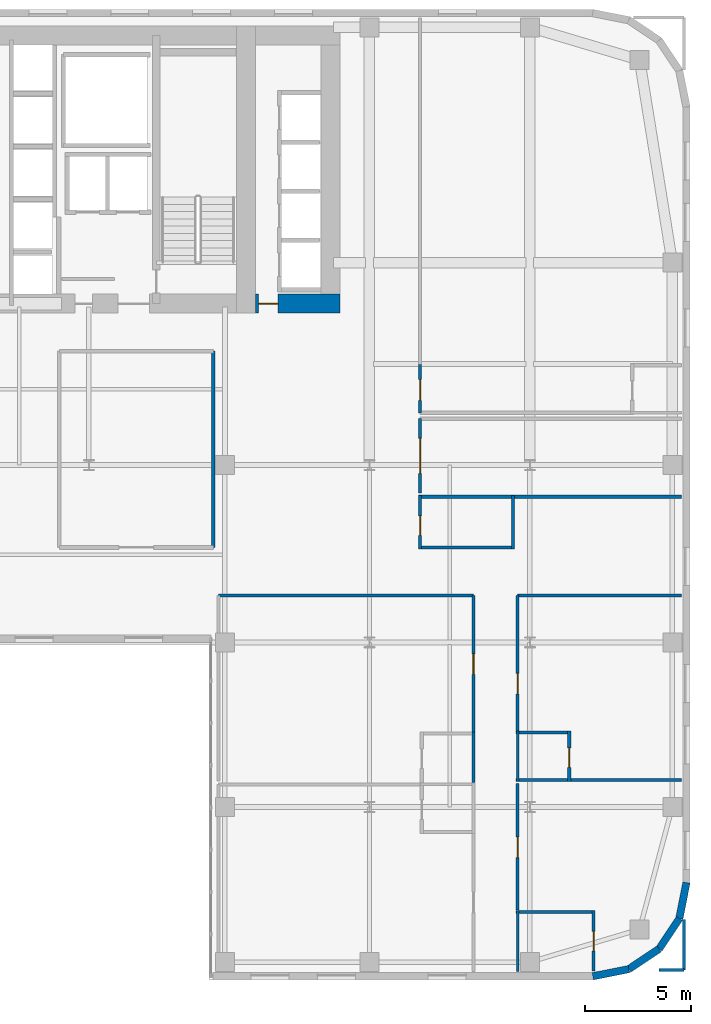
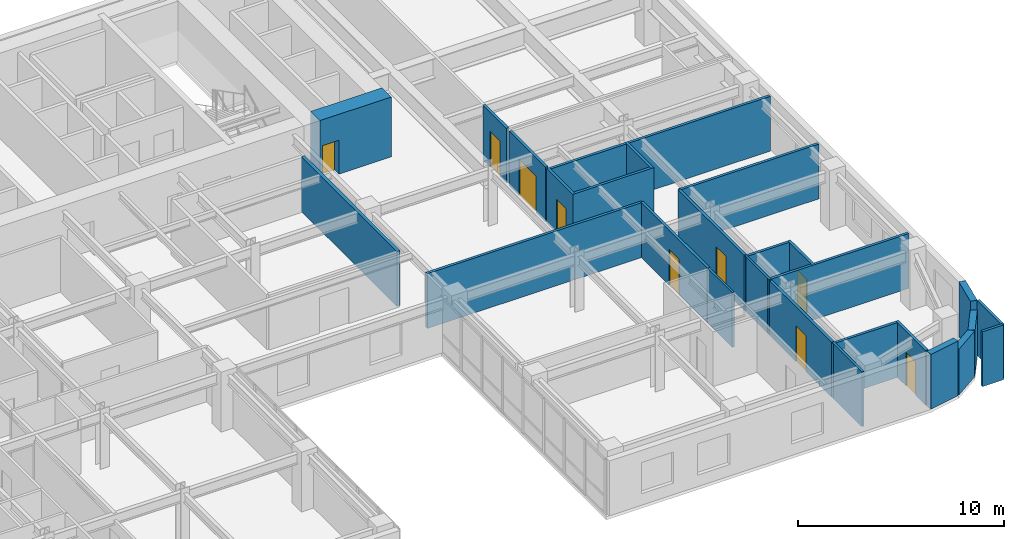
# One storey, part 12 of 16: 27 walls, 9 doors, 9 openings.
"""IFC4 building model written with IfcOpenShell, lengths in metres."""

from ifc_helpers import new_model, si_unit, direction, frame, frame_2d, origin, place, context, subcontext, project, spatial, rectangle, extrude, source, transform, mapped, material, layer, layer_set, type_object, type_shapes, element, fill, save


model = new_model("IFC4")

# Units and contexts
model_context = context("Model", 3, precision=1e-05, world=origin(), true_north=direction((0.0, 1.0)))
body_context = subcontext(model_context, "Body", "Model", "MODEL_VIEW")
ifc_project = project(units=[si_unit("LENGTHUNIT", "METRE"), si_unit("AREAUNIT", "SQUARE_METRE"), si_unit("VOLUMEUNIT", "CUBIC_METRE"), si_unit("PLANEANGLEUNIT", "RADIAN"), si_unit("MASSUNIT", "GRAM", prefix="KILO")], contexts=[model_context])

# Site, building, storey
site_placement = place(None, origin())
site = spatial("IfcSite", under=ifc_project, at=site_placement, CompositionType="ELEMENT")
building_placement = place(site_placement, origin())
building = spatial("IfcBuilding", under=site, at=building_placement, Name="Tolvann Quenvar Hotel", CompositionType="ELEMENT")
storey_placement = place(building_placement, frame((0.0, 0.0, 92.35009765625)))
storey = spatial("IfcBuildingStorey", under=building, at=storey_placement, Name="L23", CompositionType="ELEMENT", Elevation=92.35009765625)

# Wall, opening, door
ifc_material_1 = material(Name="Concrete S80 (80 MPa)", Category="concrete")
ifc_layer_1 = layer(ifc_material_1, 0.89990234375)
ifc_layer_set_1 = layer_set([ifc_layer_1], Name="Concrete S80 (80 MPa)")
wall_type_1 = type_object("IfcWallType", Name="WALL_CORE_900", PredefinedType="SHEAR", material=ifc_layer_set_1)
wall_1_placement = place(storey_placement, frame((36.39990234375, 32.050048828125, 0.0), z_axis=(0.0, 0.0, 1.0), x_axis=(1.0, 0.0, 0.0)))
wall_1 = element("IfcWall", 1, at=wall_1_placement, inside=storey, type_object=wall_type_1, Name="Core East Annex Shear Wall ANN-S (L23)", PredefinedType="SHEAR", context=body_context, shape_type="SweptSolid", body=[
    extrude(rectangle(XDim=4.0, YDim=0.89990234375, at=frame_2d((2.0, 0.0))), origin(), (0.0, 0.0, 1.0), 3.5498046875),
])
opening_1_placement = place(wall_1_placement, frame((1.06982421875, 0.0, 0.0), z_axis=(0.0, 0.0, 1.0), x_axis=(-1.0, 0.0, 0.0)))
opening_1 = element("IfcOpeningElement", 2, at=opening_1_placement, cuts=wall_1, Name="Opening WD-01", PredefinedType="OPENING", context=body_context, shape_type="SweptSolid", body=[
    extrude(rectangle(XDim=0.919921875, YDim=2.010009765625, at=frame_2d((0.4599609375, 1.0048828125))), frame((0.0, 0.4599609375, 0.0), z_axis=(0.0, -1.0, 0.0), x_axis=(1.0, 0.0, 0.0)), (0.0, 0.0, 1.0), 0.919921875),
])
ifc_material_2 = material(Name="Solid-core American oak acoustic fire door leaf in steel frame", Category="steel")
door_type_1 = type_object("IfcDoorType", Name="DOOR_WC_920", OperationType="NOTDEFINED", PredefinedType="DOOR", material=ifc_material_2)
shared_shape_1 = source(origin(), body_context, "Body", "SweptSolid", [
    extrude(rectangle(XDim=0.919921875, YDim=2.010009765625, at=frame_2d((0.4599609375, 1.0048828125))), frame((0.0, 0.02490234375, 0.0), z_axis=(0.0, -1.0, 0.0), x_axis=(1.0, 0.0, 0.0)), (0.0, 0.0, 1.0), 0.050048828125),
])
type_shapes(door_type_1, [shared_shape_1])
door_1_placement = place(opening_1_placement, origin())
door_1 = element("IfcDoor", 3, at=door_1_placement, inside=storey, type_object=door_type_1, Name="Low-Rise Lift Lobby Fire Door (L23)", OperationType="SINGLE_SWING_RIGHT", OverallHeight=2.010009765625, OverallWidth=0.919921875, PredefinedType="DOOR", context=body_context, shape_type="MappedRepresentation", body=[
    mapped(shared_shape_1, transform((0.0, 0.0, 0.0), x_axis=(1.0, 0.0, 0.0), y_axis=(0.0, 1.0, 0.0), z_axis=(0.0, 0.0, 1.0), scale=1.0)),
])
fill(opening_1, door_1)

# Walls
ifc_material_3 = material(Name="Kiln-fired red and buff architectural clay brickwork and terracotta masonry", Category="masonry")
ifc_layer_2 = layer(ifc_material_3, 0.35009765625)
ifc_layer_set_2 = layer_set([ifc_layer_2], Name="Kiln-fired red and buff architectural clay brickwork and terracotta masonry")
wall_type_2 = type_object("IfcWallType", Name="WALL_EXT_BRICK_350", PredefinedType="SOLIDWALL", material=ifc_layer_set_2)
wall_2_placement = place(storey_placement, frame((52.3828125, 0.175048828125, 0.0), z_axis=(0.0, 0.0, 1.0), x_axis=(0.980800971659, 0.195011420161, 0.0)))
element("IfcWall", 4, at=wall_2_placement, inside=storey, type_object=wall_type_2, Name="Exterior Chicago Brick Wall L23-E09", PredefinedType="SOLIDWALL", context=body_context, shape_type="SweptSolid", body=[
    extrude(rectangle(XDim=1.74267578125, YDim=0.35009765625, at=frame_2d((0.871337890625, 0.0))), origin(), (0.0, 0.0, 1.0), 3.25),
])
for number, where, z_axis, x_axis, name in (
    (5, (54.092041015625, 0.514892578125, 0.0), (0.0, 0.0, 1.0), (0.831483840845, 0.55554893791, 0.0), "Exterior Chicago Brick Wall L23-E10"),
    (6, (55.526611328125, 1.473388671875, 0.0), (0.0, 0.0, 1.0), (0.55554893791, 0.831483840845, 0.0), "Exterior Chicago Brick Wall L23-E11"),
):
    element("IfcWall", number, at=place(storey_placement, frame(where, z_axis=z_axis, x_axis=x_axis)), inside=storey, type_object=wall_type_2, Name=name, PredefinedType="SOLIDWALL", context=body_context, shape_type="SweptSolid", body=[
        extrude(rectangle(XDim=1.725341796875, YDim=0.35009765625, at=frame_2d((0.86279296875, 0.0))), origin(), (0.0, 0.0, 1.0), 2.7119140625),
    ])
wall_3_placement = place(storey_placement, frame((56.485107421875, 2.907958984375, 0.0), z_axis=(0.0, 0.0, 1.0), x_axis=(0.195011420161, 0.980800971659, 0.0)))
element("IfcWall", 7, at=wall_3_placement, inside=storey, type_object=wall_type_2, Name="Exterior Chicago Brick Wall L23-E12", PredefinedType="SOLIDWALL", context=body_context, shape_type="SweptSolid", body=[
    extrude(rectangle(XDim=1.74267578125, YDim=0.35009765625, at=frame_2d((0.871337890625, 0.0))), origin(), (0.0, 0.0, 1.0), 3.25),
])
ifc_material_4 = material(Name="Acoustic twin-stud fire-rated gypsum plasterboard partition")
ifc_layer_3 = layer(ifc_material_4, 0.179931640625)
ifc_layer_set_3 = layer_set([ifc_layer_3], Name="Acoustic twin-stud fire-rated gypsum plasterboard partition")
wall_type_3 = type_object("IfcWallType", Name="WALL_PART_ACOUSTIC_180", PredefinedType="PARTITIONING", material=ifc_layer_set_3)
wall_4_placement = place(storey_placement, frame((34.39990234375, 20.5, 0.0), z_axis=(0.0, 0.0, 1.0), x_axis=(0.0, 1.0, 0.0)))
element("IfcWall", 8, at=wall_4_placement, inside=storey, type_object=wall_type_3, Name="Interior Partition PT-SPC-L23-MSP-C-E", PredefinedType="PARTITIONING", context=body_context, shape_type="SweptSolid", body=[
    extrude(rectangle(XDim=9.300048828125, YDim=0.179931640625, at=frame_2d((4.64990234375, 0.0))), origin(), (0.0, 0.0, 1.0), 3.25),
])
ifc_material_5 = material(Name="Moisture-resistant acoustic plumbing wall assembly")
ifc_layer_4 = layer(ifc_material_5, 0.1201171875)
ifc_layer_set_4 = layer_set([ifc_layer_4], Name="Moisture-resistant acoustic plumbing wall assembly")
wall_type_4 = type_object("IfcWallType", Name="WALL_PART_BATH_120", PredefinedType="PLUMBINGWALL", material=ifc_layer_set_4)
wall_5_placement = place(storey_placement, frame((46.72998046875, 9.360107421875, 0.0), z_axis=(0.0, 0.0, 1.0), x_axis=(0.0, 1.0, 0.0)))
element("IfcWall", 9, at=wall_5_placement, inside=storey, type_object=wall_type_4, Name="Non-Rated Plumbing Partition PT-SPC-L23-ENS-EI02-E", PredefinedType="PLUMBINGWALL", context=body_context, shape_type="SweptSolid", body=[
    extrude(rectangle(XDim=2.389892578125, YDim=0.1201171875, at=frame_2d((1.19482421875, 0.0))), origin(), (0.0, 0.0, 1.0), 3.25),
])
wall_6_placement = place(storey_placement, frame((48.820068359375, 0.405029296875, 0.0), z_axis=(0.0, 0.0, 1.0), x_axis=(0.0, 1.0, 0.0)))
element("IfcWall", 10, at=wall_6_placement, inside=storey, type_object=wall_type_4, Name="Non-Rated Plumbing Partition PT-SPC-L23-ENS-EO01-W", PredefinedType="PLUMBINGWALL", context=body_context, shape_type="SweptSolid", body=[
    extrude(rectangle(XDim=2.89501953125, YDim=0.1201171875, at=frame_2d((1.447509765625, 0.0))), origin(), (0.0, 0.0, 1.0), 3.25),
])
wall_7_placement = place(storey_placement, frame((48.820068359375, 9.409912109375, 0.0), z_axis=(0.0, 0.0, 1.0), x_axis=(0.0, 1.0, 0.0)))
element("IfcWall", 11, at=wall_7_placement, inside=storey, type_object=wall_type_4, Name="Non-Rated Plumbing Partition PT-SPC-L23-ENS-EO02-W", PredefinedType="PLUMBINGWALL", context=body_context, shape_type="SweptSolid", body=[
    extrude(rectangle(XDim=2.39013671875, YDim=0.1201171875, at=frame_2d((1.195068359375, 0.0))), origin(), (0.0, 0.0, 1.0), 3.25),
])

# Wall, opening, door
ifc_layer_5 = layer(ifc_material_4, 0.14990234375)
ifc_layer_set_5 = layer_set([ifc_layer_5], Name="Acoustic twin-stud fire-rated gypsum plasterboard partition")
wall_type_5 = type_object("IfcWallType", Name="WALL_PART_SUITE_150", PredefinedType="PARTITIONING", material=ifc_layer_set_5)
wall_8_placement = place(storey_placement, frame((52.419921875, 0.4169921875, 0.0), z_axis=(0.0, 0.0, 1.0), x_axis=(0.0, 1.0, 0.0)))
wall_8 = element("IfcWall", 12, at=wall_8_placement, inside=storey, type_object=wall_type_5, Name="Interior Partition PT-SPC-L23-ENS-EO01-ENT", PredefinedType="PARTITIONING", context=body_context, shape_type="SweptSolid", body=[
    extrude(rectangle(XDim=2.883056640625, YDim=0.14990234375, at=frame_2d((1.44140625, 0.0))), origin(), (0.0, 0.0, 1.0), 3.25),
])
opening_2_placement = place(wall_8_placement, frame((0.968017578125, 0.0, 0.0)))
opening_2 = element("IfcOpeningElement", 13, at=opening_2_placement, cuts=wall_8, Name="Opening WD-01", PredefinedType="OPENING", context=body_context, shape_type="SweptSolid", body=[
    extrude(rectangle(XDim=0.919921875, YDim=2.010009765625, at=frame_2d((0.4599609375, 1.0048828125))), frame((0.0, 0.0849609375, 0.0), z_axis=(0.0, -1.0, 0.0), x_axis=(1.0, 0.0, 0.0)), (0.0, 0.0, 1.0), 0.169921875),
])
door_2_placement = place(opening_2_placement, origin())
door_2 = element("IfcDoor", 14, at=door_2_placement, inside=storey, type_object=door_type_1, Name="Interior Door DOOR-SPC-L23-ENS-EO01", OperationType="SINGLE_SWING_LEFT", OverallHeight=2.010009765625, OverallWidth=0.919921875, PredefinedType="DOOR", context=body_context, shape_type="MappedRepresentation", body=[
    mapped(shared_shape_1, transform((0.0, 0.0, 0.0), x_axis=(1.0, 0.0, 0.0), y_axis=(0.0, 1.0, 0.0), z_axis=(0.0, 0.0, 1.0), scale=1.0)),
])
fill(opening_2, door_2)

# Wall
wall_9_placement = place(storey_placement, frame((48.75, 3.22998046875, 0.0), z_axis=(0.0, 0.0, 1.0), x_axis=(1.0, 0.0, 0.0)))
element("IfcWall", 15, at=wall_9_placement, inside=storey, type_object=wall_type_5, Name="Interior Partition PT-SPC-L23-ENS-EO01-N", PredefinedType="PARTITIONING", context=body_context, shape_type="SweptSolid", body=[
    extrude(rectangle(XDim=3.739990234375, YDim=0.14990234375, at=frame_2d((1.8701171875, 0.0))), origin(), (0.0, 0.0, 1.0), 3.25),
])

# Wall, opening, door
wall_10_placement = place(storey_placement, frame((51.27001953125, 9.409912109375, 0.0), z_axis=(0.0, 0.0, 1.0), x_axis=(0.0, 1.0, 0.0)))
wall_10 = element("IfcWall", 16, at=wall_10_placement, inside=storey, type_object=wall_type_5, Name="Interior Partition PT-SPC-L23-ENS-EO02-ENT", PredefinedType="PARTITIONING", context=body_context, shape_type="SweptSolid", body=[
    extrude(rectangle(XDim=2.39013671875, YDim=0.14990234375, at=frame_2d((1.195068359375, 0.0))), origin(), (0.0, 0.0, 1.0), 3.25),
])
opening_3_placement = place(wall_10_placement, frame((0.6650390625, 0.0, 0.0)))
opening_3 = element("IfcOpeningElement", 17, at=opening_3_placement, cuts=wall_10, Name="Opening WD-01", PredefinedType="OPENING", context=body_context, shape_type="SweptSolid", body=[
    extrude(rectangle(XDim=0.919921875, YDim=2.010009765625, at=frame_2d((0.4599609375, 1.0048828125))), frame((0.0, 0.0849609375, 0.0), z_axis=(0.0, -1.0, 0.0), x_axis=(1.0, 0.0, 0.0)), (0.0, 0.0, 1.0), 0.169921875),
])
door_3_placement = place(opening_3_placement, origin())
door_3 = element("IfcDoor", 18, at=door_3_placement, inside=storey, type_object=door_type_1, Name="Interior Door DOOR-SPC-L23-ENS-EO02", OperationType="SINGLE_SWING_RIGHT", OverallHeight=2.010009765625, OverallWidth=0.919921875, PredefinedType="DOOR", context=body_context, shape_type="MappedRepresentation", body=[
    mapped(shared_shape_1, transform((0.0, 0.0, 0.0), x_axis=(1.0, 0.0, 0.0), y_axis=(0.0, 1.0, 0.0), z_axis=(0.0, 0.0, 1.0), scale=1.0)),
])
fill(opening_3, door_3)

# Walls
wall_11_placement = place(storey_placement, frame((48.75, 9.47998046875, 0.0), z_axis=(0.0, 0.0, 1.0), x_axis=(1.0, 0.0, 0.0)))
element("IfcWall", 19, at=wall_11_placement, inside=storey, type_object=wall_type_5, Name="Interior Partition PT-SPC-L23-ENS-EO02-S", PredefinedType="PARTITIONING", context=body_context, shape_type="SweptSolid", body=[
    extrude(rectangle(XDim=7.844970703125, YDim=0.14990234375, at=frame_2d((3.92236328125, 0.0))), origin(), (0.0, 0.0, 1.0), 3.25),
])
wall_12_placement = place(storey_placement, frame((48.75, 11.72998046875, 0.0), z_axis=(0.0, 0.0, 1.0), x_axis=(1.0, 0.0, 0.0)))
element("IfcWall", 20, at=wall_12_placement, inside=storey, type_object=wall_type_5, Name="Interior Partition PT-SPC-L23-ENS-EO02-N", PredefinedType="PARTITIONING", context=body_context, shape_type="SweptSolid", body=[
    extrude(rectangle(XDim=2.590087890625, YDim=0.14990234375, at=frame_2d((1.294921875, 0.0))), origin(), (0.0, 0.0, 1.0), 3.25),
])

# Wall, opening, door
wall_13_placement = place(storey_placement, frame((46.72998046875, 11.760009765625, 0.0), z_axis=(0.0, 0.0, 1.0), x_axis=(0.0, 1.0, 0.0)))
wall_13 = element("IfcWall", 21, at=wall_13_placement, inside=storey, type_object=wall_type_5, Name="Interior Partition PT-SPC-L23-RM-EI02-ENT", PredefinedType="PARTITIONING", context=body_context, shape_type="SweptSolid", body=[
    extrude(rectangle(XDim=6.4599609375, YDim=0.14990234375, at=frame_2d((3.22998046875, 0.0))), origin(), (0.0, 0.0, 1.0), 3.25),
])
opening_4_placement = place(wall_13_placement, frame((2.719970703125, 0.0, 0.0)))
opening_4 = element("IfcOpeningElement", 22, at=opening_4_placement, cuts=wall_13, Name="Opening SD-01", PredefinedType="OPENING", context=body_context, shape_type="SweptSolid", body=[
    extrude(rectangle(XDim=0.97998046875, YDim=2.1201171875, at=frame_2d((0.489990234375, 1.06005859375))), frame((0.0, 0.0849609375, 0.0), z_axis=(0.0, -1.0, 0.0), x_axis=(1.0, 0.0, 0.0)), (0.0, 0.0, 1.0), 0.169921875),
])
door_type_2 = type_object("IfcDoorType", Name="DOOR_SUITE_980", OperationType="NOTDEFINED", PredefinedType="DOOR", material=ifc_material_2)
shared_shape_2 = source(origin(), body_context, "Body", "SweptSolid", [
    extrude(rectangle(XDim=0.97998046875, YDim=2.1201171875, at=frame_2d((0.489990234375, 1.06005859375))), frame((0.0, 0.02490234375, 0.0), z_axis=(0.0, -1.0, 0.0), x_axis=(1.0, 0.0, 0.0)), (0.0, 0.0, 1.0), 0.050048828125),
])
type_shapes(door_type_2, [shared_shape_2])
door_4_placement = place(opening_4_placement, origin())
door_4 = element("IfcDoor", 23, at=door_4_placement, inside=storey, type_object=door_type_2, Name="Interior Door DOOR-SPC-L23-RM-EI02", OperationType="SINGLE_SWING_RIGHT", OverallHeight=2.1201171875, OverallWidth=0.97998046875, PredefinedType="DOOR", context=body_context, shape_type="MappedRepresentation", body=[
    mapped(shared_shape_2, transform((0.0, 0.0, 0.0), x_axis=(1.0, 0.0, 0.0), y_axis=(0.0, 1.0, 0.0), z_axis=(0.0, 0.0, 1.0), scale=1.0)),
])
fill(opening_4, door_4)

# Wall
wall_14_placement = place(storey_placement, frame((34.64990234375, 18.219970703125, 0.0), z_axis=(0.0, 0.0, 1.0), x_axis=(1.0, 0.0, 0.0)))
element("IfcWall", 24, at=wall_14_placement, inside=storey, type_object=wall_type_5, Name="Interior Partition PT-SPC-L23-RM-EI02-E5", PredefinedType="PARTITIONING", context=body_context, shape_type="SweptSolid", body=[
    extrude(rectangle(XDim=12.080078125, YDim=0.14990234375, at=frame_2d((6.0400390625, 0.0))), origin(), (0.0, 0.0, 1.0), 3.25),
])

# Wall, opening, door
wall_15_placement = place(storey_placement, frame((48.820068359375, 3.31005859375, 0.0), z_axis=(0.0, 0.0, 1.0), x_axis=(0.0, 1.0, 0.0)))
wall_15 = element("IfcWall", 25, at=wall_15_placement, inside=storey, type_object=wall_type_5, Name="Interior Partition PT-SPC-L23-RM-EO01-ENT", PredefinedType="PARTITIONING", context=body_context, shape_type="SweptSolid", body=[
    extrude(rectangle(XDim=6.010009765625, YDim=0.14990234375, at=frame_2d((3.0048828125, 0.0))), origin(), (0.0, 0.0, 1.0), 3.25),
])
opening_5_placement = place(wall_15_placement, frame((2.4951171875, 0.0, 0.0)))
opening_5 = element("IfcOpeningElement", 26, at=opening_5_placement, cuts=wall_15, Name="Opening SD-01", PredefinedType="OPENING", context=body_context, shape_type="SweptSolid", body=[
    extrude(rectangle(XDim=0.97998046875, YDim=2.1201171875, at=frame_2d((0.489990234375, 1.06005859375))), frame((0.0, 0.0849609375, 0.0), z_axis=(0.0, -1.0, 0.0), x_axis=(1.0, 0.0, 0.0)), (0.0, 0.0, 1.0), 0.169921875),
])
door_5_placement = place(opening_5_placement, origin())
door_5 = element("IfcDoor", 27, at=door_5_placement, inside=storey, type_object=door_type_2, Name="Interior Door DOOR-SPC-L23-RM-EO01", OperationType="SINGLE_SWING_LEFT", OverallHeight=2.1201171875, OverallWidth=0.97998046875, PredefinedType="DOOR", context=body_context, shape_type="MappedRepresentation", body=[
    mapped(shared_shape_2, transform((0.0, 0.0, 0.0), x_axis=(1.0, 0.0, 0.0), y_axis=(0.0, 1.0, 0.0), z_axis=(0.0, 0.0, 1.0), scale=1.0)),
])
fill(opening_5, door_5)

# Walls
wall_16_placement = place(storey_placement, frame((55.52587890625, 0.47998046875, 0.0), z_axis=(0.0, 0.0, 1.0), x_axis=(1.0, 0.0, 0.0)))
element("IfcWall", 28, at=wall_16_placement, inside=storey, type_object=wall_type_5, Name="Interior Partition PT-SPC-L23-RM-EO01-E3", PredefinedType="PARTITIONING", context=body_context, shape_type="SweptSolid", body=[
    extrude(rectangle(XDim=1.174072265625, YDim=0.14990234375, at=frame_2d((0.5869140625, 0.0))), origin(), (0.0, 0.0, 1.0), 3.25),
])
wall_17_placement = place(storey_placement, frame((56.699951171875, 0.47998046875, 0.0), z_axis=(0.0, 0.0, 1.0), x_axis=(0.0, 1.0, 0.0)))
element("IfcWall", 29, at=wall_17_placement, inside=storey, type_object=wall_type_5, Name="Interior Partition PT-SPC-L23-RM-EO01-E4", PredefinedType="PARTITIONING", context=body_context, shape_type="SweptSolid", body=[
    extrude(rectangle(XDim=2.385009765625, YDim=0.14990234375, at=frame_2d((1.1923828125, 0.0))), origin(), (0.0, 0.0, 1.0), 3.25),
])

# Wall, opening, door
wall_18_placement = place(storey_placement, frame((48.820068359375, 11.81005859375, 0.0), z_axis=(0.0, 0.0, 1.0), x_axis=(0.0, 1.0, 0.0)))
wall_18 = element("IfcWall", 30, at=wall_18_placement, inside=storey, type_object=wall_type_5, Name="Interior Partition PT-SPC-L23-RM-EO02-ENT", PredefinedType="PARTITIONING", context=body_context, shape_type="SweptSolid", body=[
    extrude(rectangle(XDim=6.409912109375, YDim=0.14990234375, at=frame_2d((3.205078125, 0.0))), origin(), (0.0, 0.0, 1.0), 3.25),
])
opening_6_placement = place(wall_18_placement, frame((1.7451171875, 0.0, 0.0)))
opening_6 = element("IfcOpeningElement", 31, at=opening_6_placement, cuts=wall_18, Name="Opening SD-01", PredefinedType="OPENING", context=body_context, shape_type="SweptSolid", body=[
    extrude(rectangle(XDim=0.97998046875, YDim=2.1201171875, at=frame_2d((0.489990234375, 1.06005859375))), frame((0.0, 0.0849609375, 0.0), z_axis=(0.0, -1.0, 0.0), x_axis=(1.0, 0.0, 0.0)), (0.0, 0.0, 1.0), 0.169921875),
])
door_6_placement = place(opening_6_placement, origin())
door_6 = element("IfcDoor", 32, at=door_6_placement, inside=storey, type_object=door_type_2, Name="Interior Door DOOR-SPC-L23-RM-EO02", OperationType="SINGLE_SWING_RIGHT", OverallHeight=2.1201171875, OverallWidth=0.97998046875, PredefinedType="DOOR", context=body_context, shape_type="MappedRepresentation", body=[
    mapped(shared_shape_2, transform((0.0, 0.0, 0.0), x_axis=(1.0, 0.0, 0.0), y_axis=(0.0, 1.0, 0.0), z_axis=(0.0, 0.0, 1.0), scale=1.0)),
])
fill(opening_6, door_6)

# Wall
wall_19_placement = place(storey_placement, frame((48.820068359375, 18.219970703125, 0.0), z_axis=(0.0, 0.0, 1.0), x_axis=(1.0, 0.0, 0.0)))
element("IfcWall", 33, at=wall_19_placement, inside=storey, type_object=wall_type_5, Name="Interior Partition PT-SPC-L23-RM-EO02-E5", PredefinedType="PARTITIONING", context=body_context, shape_type="SweptSolid", body=[
    extrude(rectangle(XDim=7.77490234375, YDim=0.14990234375, at=frame_2d((3.887451171875, 0.0))), origin(), (0.0, 0.0, 1.0), 3.25),
])

# Wall, opening, door
wall_20_placement = place(storey_placement, frame((44.199951171875, 20.429931640625, 0.0), z_axis=(0.0, 0.0, 1.0), x_axis=(0.0, 1.0, 0.0)))
wall_20 = element("IfcWall", 34, at=wall_20_placement, inside=storey, type_object=wall_type_5, Name="Interior Partition PT-SPC-L23-WCA-ENT", PredefinedType="PARTITIONING", context=body_context, shape_type="SweptSolid", body=[
    extrude(rectangle(XDim=2.5400390625, YDim=0.14990234375, at=frame_2d((1.27001953125, 0.0))), origin(), (0.0, 0.0, 1.0), 3.25),
])
opening_7_placement = place(wall_20_placement, frame((0.639892578125, 0.0, 0.0)))
opening_7 = element("IfcOpeningElement", 35, at=opening_7_placement, cuts=wall_20, Name="Opening WD-01", PredefinedType="OPENING", context=body_context, shape_type="SweptSolid", body=[
    extrude(rectangle(XDim=0.919921875, YDim=2.010009765625, at=frame_2d((0.4599609375, 1.0048828125))), frame((0.0, 0.0849609375, 0.0), z_axis=(0.0, -1.0, 0.0), x_axis=(1.0, 0.0, 0.0)), (0.0, 0.0, 1.0), 0.169921875),
])
door_7_placement = place(opening_7_placement, origin())
door_7 = element("IfcDoor", 36, at=door_7_placement, inside=storey, type_object=door_type_1, Name="Interior Door DOOR-SPC-L23-WCA", OperationType="SINGLE_SWING_LEFT", OverallHeight=2.010009765625, OverallWidth=0.919921875, PredefinedType="DOOR", context=body_context, shape_type="MappedRepresentation", body=[
    mapped(shared_shape_1, transform((0.0, 0.0, 0.0), x_axis=(1.0, 0.0, 0.0), y_axis=(0.0, 1.0, 0.0), z_axis=(0.0, 0.0, 1.0), scale=1.0)),
])
fill(opening_7, door_7)

# Walls
wall_21_placement = place(storey_placement, frame((44.1298828125, 20.5, 0.0), z_axis=(0.0, 0.0, 1.0), x_axis=(1.0, 0.0, 0.0)))
element("IfcWall", 37, at=wall_21_placement, inside=storey, type_object=wall_type_5, Name="Interior Partition PT-SPC-L23-WCA-S", PredefinedType="PARTITIONING", context=body_context, shape_type="SweptSolid", body=[
    extrude(rectangle(XDim=4.5400390625, YDim=0.14990234375, at=frame_2d((2.27001953125, 0.0))), origin(), (0.0, 0.0, 1.0), 3.25),
])
wall_22_placement = place(storey_placement, frame((44.1298828125, 22.89990234375, 0.0), z_axis=(0.0, 0.0, 1.0), x_axis=(1.0, 0.0, 0.0)))
element("IfcWall", 38, at=wall_22_placement, inside=storey, type_object=wall_type_5, Name="Interior Partition PT-SPC-L23-WCA-N", PredefinedType="PARTITIONING", context=body_context, shape_type="SweptSolid", body=[
    extrude(rectangle(XDim=12.465087890625, YDim=0.14990234375, at=frame_2d((6.232421875, 0.0))), origin(), (0.0, 0.0, 1.0), 3.25),
])
wall_23_placement = place(storey_placement, frame((48.60009765625, 20.429931640625, 0.0), z_axis=(0.0, 0.0, 1.0), x_axis=(0.0, 1.0, 0.0)))
element("IfcWall", 39, at=wall_23_placement, inside=storey, type_object=wall_type_5, Name="Interior Partition PT-SPC-L23-WCA-E", PredefinedType="PARTITIONING", context=body_context, shape_type="SweptSolid", body=[
    extrude(rectangle(XDim=2.5400390625, YDim=0.14990234375, at=frame_2d((1.27001953125, 0.0))), origin(), (0.0, 0.0, 1.0), 3.25),
])

# Wall, opening, door
wall_24_placement = place(storey_placement, frame((44.199951171875, 23.080078125, 0.0), z_axis=(0.0, 0.0, 1.0), x_axis=(0.0, 1.0, 0.0)))
wall_24 = element("IfcWall", 40, at=wall_24_placement, inside=storey, type_object=wall_type_5, Name="Interior Partition PT-SPC-L23-SPA-W", PredefinedType="PARTITIONING", context=body_context, shape_type="SweptSolid", body=[
    extrude(rectangle(XDim=3.52001953125, YDim=0.14990234375, at=frame_2d((1.760009765625, 0.0))), origin(), (0.0, 0.0, 1.0), 3.25),
])
opening_8_placement = place(wall_24_placement, frame((0.93505859375, 0.0, 0.0)))
opening_8 = element("IfcOpeningElement", 41, at=opening_8_placement, cuts=wall_24, Name="Opening AD-01", PredefinedType="OPENING", context=body_context, shape_type="SweptSolid", body=[
    extrude(rectangle(XDim=1.64990234375, YDim=2.14990234375, at=frame_2d((0.824951171875, 1.074951171875))), frame((0.0, 0.0849609375, 0.0), z_axis=(0.0, -1.0, 0.0), x_axis=(1.0, 0.0, 0.0)), (0.0, 0.0, 1.0), 0.169921875),
])
door_type_3 = type_object("IfcDoorType", Name="DOOR_SALON_1650", OperationType="NOTDEFINED", PredefinedType="DOOR", material=ifc_material_2)
shared_shape_3 = source(origin(), body_context, "Body", "SweptSolid", [
    extrude(rectangle(XDim=1.64990234375, YDim=2.14990234375, at=frame_2d((0.824951171875, 1.074951171875))), frame((0.0, 0.02490234375, 0.0), z_axis=(0.0, -1.0, 0.0), x_axis=(1.0, 0.0, 0.0)), (0.0, 0.0, 1.0), 0.050048828125),
])
type_shapes(door_type_3, [shared_shape_3])
door_8_placement = place(opening_8_placement, origin())
door_8 = element("IfcDoor", 42, at=door_8_placement, inside=storey, type_object=door_type_3, Name="Interior Door DOOR-SPC-L23-SPA", OperationType="DOUBLE_DOOR_SINGLE_SWING", OverallHeight=2.14990234375, OverallWidth=1.64990234375, PredefinedType="DOOR", context=body_context, shape_type="MappedRepresentation", body=[
    mapped(shared_shape_3, transform((0.0, 0.0, 0.0), x_axis=(1.0, 0.0, 0.0), y_axis=(0.0, 1.0, 0.0), z_axis=(0.0, 0.0, 1.0), scale=1.0)),
])
fill(opening_8, door_8)

wall_25_placement = place(storey_placement, frame((44.199951171875, 26.8798828125, 0.0), z_axis=(0.0, 0.0, 1.0), x_axis=(0.0, 1.0, 0.0)))
wall_25 = element("IfcWall", 43, at=wall_25_placement, inside=storey, type_object=wall_type_5, Name="Interior Partition PT-SPC-L23-RM-NE01-ENT", PredefinedType="PARTITIONING", context=body_context, shape_type="SweptSolid", body=[
    extrude(rectangle(XDim=2.280029296875, YDim=0.14990234375, at=frame_2d((1.14013671875, 0.0))), origin(), (0.0, 0.0, 1.0), 3.25),
])
opening_9_placement = place(wall_25_placement, frame((0.594970703125, 0.0, 0.0)))
opening_9 = element("IfcOpeningElement", 44, at=opening_9_placement, cuts=wall_25, Name="Opening SD-01", PredefinedType="OPENING", context=body_context, shape_type="SweptSolid", body=[
    extrude(rectangle(XDim=0.97998046875, YDim=2.1201171875, at=frame_2d((0.489990234375, 1.06005859375))), frame((0.0, 0.0849609375, 0.0), z_axis=(0.0, -1.0, 0.0), x_axis=(1.0, 0.0, 0.0)), (0.0, 0.0, 1.0), 0.169921875),
])
door_9_placement = place(opening_9_placement, origin())
door_9 = element("IfcDoor", 45, at=door_9_placement, inside=storey, type_object=door_type_2, Name="Interior Door DOOR-SPC-L23-RM-NE01", OperationType="SINGLE_SWING_RIGHT", OverallHeight=2.1201171875, OverallWidth=0.97998046875, PredefinedType="DOOR", context=body_context, shape_type="MappedRepresentation", body=[
    mapped(shared_shape_2, transform((0.0, 0.0, 0.0), x_axis=(1.0, 0.0, 0.0), y_axis=(0.0, 1.0, 0.0), z_axis=(0.0, 0.0, 1.0), scale=1.0)),
])
fill(opening_9, door_9)

save(model, "model.ifc")
